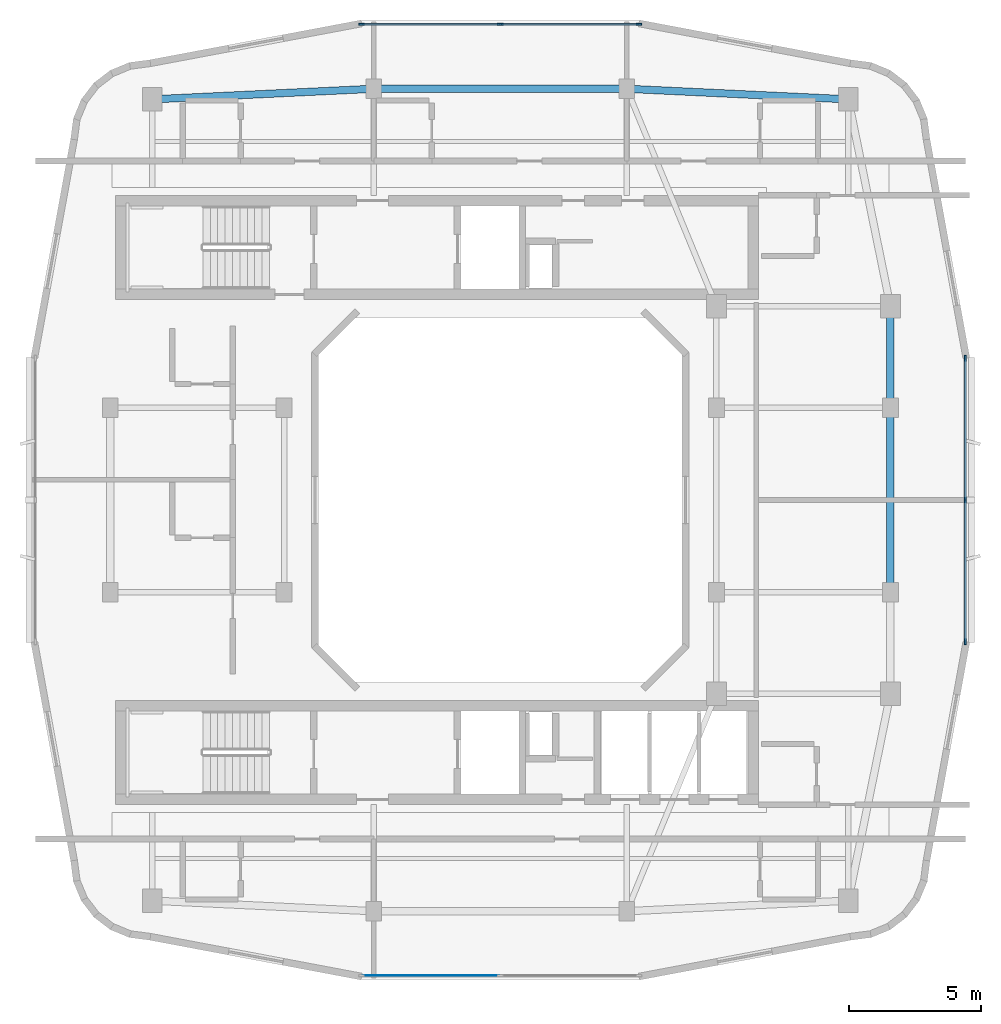
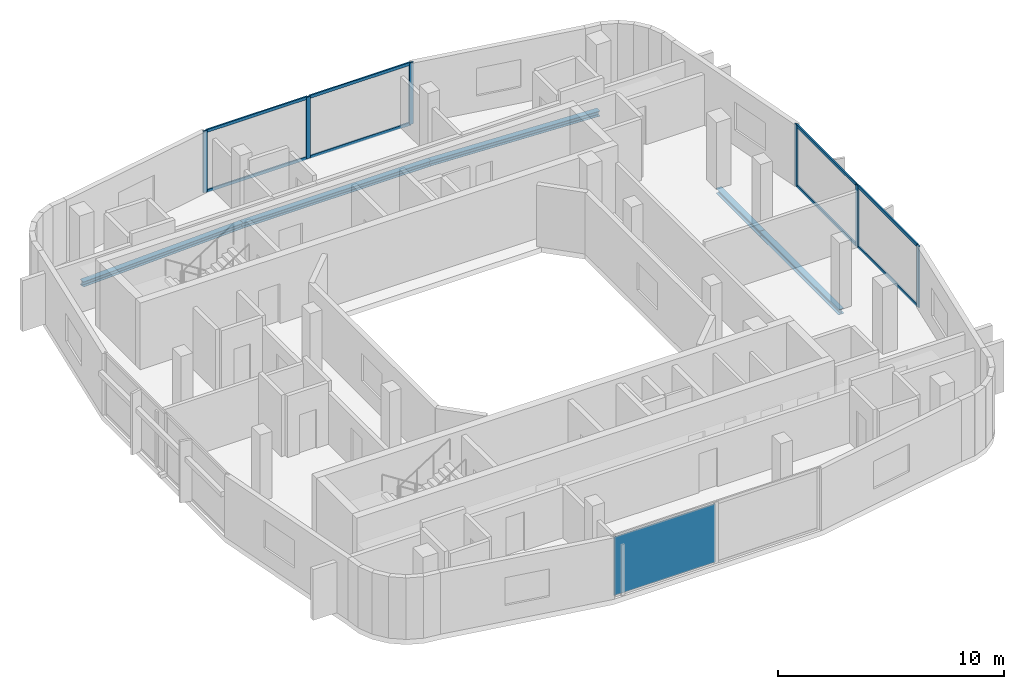
# One storey, part 3 of 10: 14 members, 5 beams, 1 plate, 3 elements without a shape of their own.
"""IFC4 building model written with IfcOpenShell, lengths in metres."""

from ifc_helpers import new_model, si_unit, derived_unit, direction, frame, origin, origin_2d, place, context, subcontext, project, spatial, rectangle, i_section, extrude, material, layer, layer_set, material_profile, profile_set, type_object, element, aggregate, save


model = new_model("IFC4")

# Units and contexts
model_context = context("Model", 3, precision=1e-05, world=origin(), true_north=direction((0.0, 1.0)))
body_context = subcontext(model_context, "Body", "Model", "MODEL_VIEW")
ifc_project = project(units=[si_unit("LENGTHUNIT", "METRE"), si_unit("AREAUNIT", "SQUARE_METRE"), si_unit("VOLUMEUNIT", "CUBIC_METRE"), si_unit("PLANEANGLEUNIT", "RADIAN"), si_unit("MASSUNIT", "GRAM", prefix="KILO"), derived_unit("THERMALTRANSMITTANCEUNIT", [(si_unit("POWERUNIT", "WATT"), 1), (si_unit("LENGTHUNIT", "METRE"), -2), (si_unit("THERMODYNAMICTEMPERATUREUNIT", "KELVIN"), -1)])], contexts=[model_context])

# Site, building, storey
site_placement = place(None, origin())
site = spatial("IfcSite", under=ifc_project, at=site_placement, CompositionType="ELEMENT")
building_placement = place(site_placement, origin())
building = spatial("IfcBuilding", under=site, at=building_placement, Name="Kivonza Crest Hotel", CompositionType="ELEMENT")
storey_placement = place(building_placement, frame((0.0, 0.0, 250.39990234375)))
storey = spatial("IfcBuildingStorey", under=building, at=storey_placement, Name="L68", CompositionType="ELEMENT", Elevation=250.39990234375)

# Beams
ifc_material_1 = material(Name="Steel S355", Category="steel")
ifc_material_profile_1 = material_profile(ifc_material_1, i_section(OverallWidth=0.280029296875, OverallDepth=0.280029296875, WebThickness=0.010498046875, FlangeThickness=0.01806640625, FilletRadius=0.02392578125, at=origin_2d()), Name="HEB 280")
ifc_profile_set_1 = profile_set([ifc_material_profile_1], Name="Steel S355")
beam_type = type_object("IfcBeamType", Name="BM-HEB280", PredefinedType="SPANDREL", material=ifc_profile_set_1)
beam_1_placement = place(storey_placement, frame((35.800048828125, 21.5, -0.419921875), z_axis=(0.0, 1.0, 0.0), x_axis=(-1.0, 0.0, 0.0)))
element("IfcBeam", 1, at=beam_1_placement, inside=storey, type_object=beam_type, Name="Tower T1 L68 perimeter spandrel E1-E2", PredefinedType="SPANDREL", context=body_context, shape_type="SweptSolid", body=[
    extrude(i_section(OverallWidth=0.280029296875, OverallDepth=0.280029296875, WebThickness=0.010498046875, FlangeThickness=0.01806640625, FilletRadius=0.02392578125, at=origin_2d()), origin(), (0.0, 0.0, 1.0), 7.0),
])
beam_2_placement = place(storey_placement, frame((35.800048828125, 28.5, -0.419921875), z_axis=(0.0, 1.0, 0.0), x_axis=(-1.0, 0.0, 0.0)))
element("IfcBeam", 2, at=beam_2_placement, inside=storey, type_object=beam_type, Name="Tower T1 L68 perimeter spandrel E2-PNE", PredefinedType="SPANDREL", context=body_context, shape_type="SweptSolid", body=[
    extrude(i_section(OverallWidth=0.280029296875, OverallDepth=0.280029296875, WebThickness=0.010498046875, FlangeThickness=0.01806640625, FilletRadius=0.02392578125, at=origin_2d()), origin(), (0.0, 0.0, 1.0), 3.85009765625),
])
beam_3_placement = place(storey_placement, frame((34.199951171875, 40.199951171875, -0.419921875), z_axis=(-0.998867283688, 0.047583080799, 0.0), x_axis=(-0.047583080799, -0.998867283688, 0.0)))
element("IfcBeam", 3, at=beam_3_placement, inside=storey, type_object=beam_type, Name="Tower T1 L68 perimeter spandrel NE-N2", PredefinedType="SPANDREL", context=body_context, shape_type="SweptSolid", body=[
    extrude(i_section(OverallWidth=0.280029296875, OverallDepth=0.280029296875, WebThickness=0.010498046875, FlangeThickness=0.01806640625, FilletRadius=0.02392578125, at=origin_2d()), origin(), (0.0, 0.0, 1.0), 8.409423828125),
])
beam_4_placement = place(storey_placement, frame((25.800048828125, 40.60009765625, -0.419921875), z_axis=(-1.0, 0.0, 0.0), x_axis=(0.0, -1.0, 0.0)))
element("IfcBeam", 4, at=beam_4_placement, inside=storey, type_object=beam_type, Name="Tower T1 L68 perimeter spandrel N2-N1", PredefinedType="SPANDREL", context=body_context, shape_type="SweptSolid", body=[
    extrude(i_section(OverallWidth=0.280029296875, OverallDepth=0.280029296875, WebThickness=0.010498046875, FlangeThickness=0.01806640625, FilletRadius=0.02392578125, at=origin_2d()), origin(), (0.0, 0.0, 1.0), 9.60009765625),
])
beam_5_placement = place(storey_placement, frame((16.199951171875, 40.60009765625, -0.419921875), z_axis=(-0.998867283688, -0.047583080799, 0.0), x_axis=(0.047583080799, -0.998867283688, 0.0)))
element("IfcBeam", 5, at=beam_5_placement, inside=storey, type_object=beam_type, Name="Tower T1 L68 perimeter spandrel N1-NW", PredefinedType="SPANDREL", context=body_context, shape_type="SweptSolid", body=[
    extrude(i_section(OverallWidth=0.280029296875, OverallDepth=0.280029296875, WebThickness=0.010498046875, FlangeThickness=0.01806640625, FilletRadius=0.02392578125, at=origin_2d()), origin(), (0.0, 0.0, 1.0), 8.409423828125),
])

# Curtain wall, members
ifc_material_2 = material(Name="Anodised bronze aluminium and low-E double glazing", Category="aluminium")
ifc_layer_1 = layer(ifc_material_2, 0.179931640625)
ifc_layer_set_1 = layer_set([ifc_layer_1], Name="Anodised bronze aluminium and low-E double glazing")
curtain_wall_type = type_object("IfcCurtainWallType", Name="CW-SYS-3", PredefinedType="NOTDEFINED", material=ifc_layer_set_1)
curtain_wall_1_placement = place(storey_placement, origin())
curtain_wall_1 = element("IfcCurtainWall", 6, at=curtain_wall_1_placement, inside=storey, type_object=curtain_wall_type, Name="L68 unitised curtain wall CW-T1-L68-17", PredefinedType="NOTDEFINED")
ifc_material_3 = material(Name="Anodised bronze aluminium", Category="aluminium")
ifc_material_profile_2 = material_profile(ifc_material_3, rectangle(XDim=0.074951171875, YDim=0.219970703125, at=origin_2d()), Name="CW-M 75x220")
ifc_profile_set_2 = profile_set([ifc_material_profile_2], Name="Anodised bronze aluminium")
member_type_1 = type_object("IfcMemberType", Name="CW-MUL-75x220", PredefinedType="MULLION", material=ifc_profile_set_2)
member_1_placement = place(storey_placement, frame((38.639892578125, 19.617431640625, 0.0), z_axis=(0.0, 0.0, 1.0), x_axis=(-1.0, 0.0, 0.0)))
member_1 = element("IfcMember", 7, at=member_1_placement, type_object=member_type_1, Name="CW-3 mullion 1", PredefinedType="MULLION", context=body_context, shape_type="SweptSolid", body=[
    extrude(rectangle(XDim=0.074951171875, YDim=0.219970703125, at=origin_2d()), origin(), (0.0, 0.0, 1.0), 3.320068359375),
])
member_2_placement = place(storey_placement, frame((38.639892578125, 25.0, 0.0), z_axis=(0.0, 0.0, 1.0), x_axis=(-1.0, 0.0, 0.0)))
member_2 = element("IfcMember", 8, at=member_2_placement, type_object=member_type_1, Name="CW-3 mullion 2", PredefinedType="MULLION", context=body_context, shape_type="SweptSolid", body=[
    extrude(rectangle(XDim=0.074951171875, YDim=0.219970703125, at=origin_2d()), origin(), (0.0, 0.0, 1.0), 3.320068359375),
])
member_3_placement = place(storey_placement, frame((38.639892578125, 30.382568359375, 0.0), z_axis=(0.0, 0.0, 1.0), x_axis=(-1.0, 0.0, 0.0)))
member_3 = element("IfcMember", 9, at=member_3_placement, type_object=member_type_1, Name="CW-3 mullion 3", PredefinedType="MULLION", context=body_context, shape_type="SweptSolid", body=[
    extrude(rectangle(XDim=0.074951171875, YDim=0.219970703125, at=origin_2d()), origin(), (0.0, 0.0, 1.0), 3.320068359375),
])

curtain_wall_2_placement = place(storey_placement, origin())
curtain_wall_2 = element("IfcCurtainWall", 10, at=curtain_wall_2_placement, inside=storey, type_object=curtain_wall_type, Name="L68 unitised curtain wall CW-T1-L68-26", PredefinedType="NOTDEFINED")
member_4_placement = place(storey_placement, frame((26.262451171875, 43.0400390625, 0.0), z_axis=(0.0, 0.0, 1.0), x_axis=(0.0, -1.0, 0.0)))
member_4 = element("IfcMember", 11, at=member_4_placement, type_object=member_type_1, Name="CW-3 mullion 1", PredefinedType="MULLION", context=body_context, shape_type="SweptSolid", body=[
    extrude(rectangle(XDim=0.074951171875, YDim=0.219970703125, at=origin_2d()), origin(), (0.0, 0.0, 1.0), 3.320068359375),
])
member_5_placement = place(storey_placement, frame((21.0, 43.0400390625, 0.0), z_axis=(0.0, 0.0, 1.0), x_axis=(0.0, -1.0, 0.0)))
member_5 = element("IfcMember", 12, at=member_5_placement, type_object=member_type_1, Name="CW-3 mullion 2", PredefinedType="MULLION", context=body_context, shape_type="SweptSolid", body=[
    extrude(rectangle(XDim=0.074951171875, YDim=0.219970703125, at=origin_2d()), origin(), (0.0, 0.0, 1.0), 3.320068359375),
])
member_6_placement = place(storey_placement, frame((15.737548828125, 43.0400390625, 0.0), z_axis=(0.0, 0.0, 1.0), x_axis=(0.0, -1.0, 0.0)))
member_6 = element("IfcMember", 13, at=member_6_placement, type_object=member_type_1, Name="CW-3 mullion 3", PredefinedType="MULLION", context=body_context, shape_type="SweptSolid", body=[
    extrude(rectangle(XDim=0.074951171875, YDim=0.219970703125, at=origin_2d()), origin(), (0.0, 0.0, 1.0), 3.320068359375),
])

# Member
ifc_material_profile_3 = material_profile(ifc_material_3, rectangle(XDim=0.074951171875, YDim=0.159912109375, at=origin_2d()), Name="CW-T 75x160")
ifc_profile_set_3 = profile_set([ifc_material_profile_3], Name="Anodised bronze aluminium")
member_type_2 = type_object("IfcMemberType", Name="CW-TRN-75x160", PredefinedType="USERDEFINED", material=ifc_profile_set_3)
member_7_placement = place(storey_placement, frame((38.639892578125, 19.655029296875, 0.03759765625), z_axis=(0.0, 1.0, 0.0), x_axis=(-1.0, 0.0, 0.0)))
member_7 = element("IfcMember", 14, at=member_7_placement, type_object=member_type_2, Name="CW-3 transom 1.1", ObjectType="TRANSOM", PredefinedType="USERDEFINED", context=body_context, shape_type="SweptSolid", body=[
    extrude(rectangle(XDim=0.074951171875, YDim=0.159912109375, at=origin_2d()), origin(), (0.0, 0.0, 1.0), 5.307373046875),
])

member_8_placement = place(storey_placement, frame((38.639892578125, 19.655029296875, 3.28271484375), z_axis=(0.0, 1.0, 0.0), x_axis=(-1.0, 0.0, 0.0)))
member_8 = element("IfcMember", 15, at=member_8_placement, type_object=member_type_2, Name="CW-3 transom 1.2", ObjectType="TRANSOM", PredefinedType="USERDEFINED", context=body_context, shape_type="SweptSolid", body=[
    extrude(rectangle(XDim=0.074951171875, YDim=0.159912109375, at=origin_2d()), origin(), (0.0, 0.0, 1.0), 5.307373046875),
])

member_9_placement = place(storey_placement, frame((38.639892578125, 25.03759765625, 0.03759765625), z_axis=(0.0, 1.0, 0.0), x_axis=(-1.0, 0.0, 0.0)))
member_9 = element("IfcMember", 16, at=member_9_placement, type_object=member_type_2, Name="CW-3 transom 2.1", ObjectType="TRANSOM", PredefinedType="USERDEFINED", context=body_context, shape_type="SweptSolid", body=[
    extrude(rectangle(XDim=0.074951171875, YDim=0.159912109375, at=origin_2d()), origin(), (0.0, 0.0, 1.0), 5.307373046875),
])

member_10_placement = place(storey_placement, frame((38.639892578125, 25.03759765625, 3.28271484375), z_axis=(0.0, 1.0, 0.0), x_axis=(-1.0, 0.0, 0.0)))
member_10 = element("IfcMember", 17, at=member_10_placement, type_object=member_type_2, Name="CW-3 transom 2.2", ObjectType="TRANSOM", PredefinedType="USERDEFINED", context=body_context, shape_type="SweptSolid", body=[
    extrude(rectangle(XDim=0.074951171875, YDim=0.159912109375, at=origin_2d()), origin(), (0.0, 0.0, 1.0), 5.307373046875),
])

aggregate(curtain_wall_1, [member_1, member_2, member_3, member_7, member_8, member_9, member_10])

member_11_placement = place(storey_placement, frame((26.22509765625, 43.0400390625, 0.03759765625), z_axis=(-1.0, 0.0, 0.0), x_axis=(0.0, -1.0, 0.0)))
member_11 = element("IfcMember", 18, at=member_11_placement, type_object=member_type_2, Name="CW-3 transom 1.1", ObjectType="TRANSOM", PredefinedType="USERDEFINED", context=body_context, shape_type="SweptSolid", body=[
    extrude(rectangle(XDim=0.074951171875, YDim=0.159912109375, at=origin_2d()), origin(), (0.0, 0.0, 1.0), 5.1875),
])

member_12_placement = place(storey_placement, frame((26.22509765625, 43.0400390625, 3.28271484375), z_axis=(-1.0, 0.0, 0.0), x_axis=(0.0, -1.0, 0.0)))
member_12 = element("IfcMember", 19, at=member_12_placement, type_object=member_type_2, Name="CW-3 transom 1.2", ObjectType="TRANSOM", PredefinedType="USERDEFINED", context=body_context, shape_type="SweptSolid", body=[
    extrude(rectangle(XDim=0.074951171875, YDim=0.159912109375, at=origin_2d()), origin(), (0.0, 0.0, 1.0), 5.1875),
])

member_13_placement = place(storey_placement, frame((20.96240234375, 43.0400390625, 0.03759765625), z_axis=(-1.0, 0.0, 0.0), x_axis=(0.0, -1.0, 0.0)))
member_13 = element("IfcMember", 20, at=member_13_placement, type_object=member_type_2, Name="CW-3 transom 2.1", ObjectType="TRANSOM", PredefinedType="USERDEFINED", context=body_context, shape_type="SweptSolid", body=[
    extrude(rectangle(XDim=0.074951171875, YDim=0.159912109375, at=origin_2d()), origin(), (0.0, 0.0, 1.0), 5.1875),
])

member_14_placement = place(storey_placement, frame((20.96240234375, 43.0400390625, 3.28271484375), z_axis=(-1.0, 0.0, 0.0), x_axis=(0.0, -1.0, 0.0)))
member_14 = element("IfcMember", 21, at=member_14_placement, type_object=member_type_2, Name="CW-3 transom 2.2", ObjectType="TRANSOM", PredefinedType="USERDEFINED", context=body_context, shape_type="SweptSolid", body=[
    extrude(rectangle(XDim=0.074951171875, YDim=0.159912109375, at=origin_2d()), origin(), (0.0, 0.0, 1.0), 5.1875),
])

aggregate(curtain_wall_2, [member_4, member_5, member_6, member_11, member_12, member_13, member_14])

# Curtain wall, plate
curtain_wall_3_placement = place(storey_placement, origin())
curtain_wall_3 = element("IfcCurtainWall", 22, at=curtain_wall_3_placement, inside=storey, type_object=curtain_wall_type, Name="L68 unitised curtain wall CW-T1-L68-08", PredefinedType="NOTDEFINED")
ifc_material_4 = material(Name="Acoustic triple-laminated low-E glazing", Category="glass")
ifc_layer_2 = layer(ifc_material_4, 0.035888671875)
ifc_layer_set_2 = layer_set([ifc_layer_2], Name="Acoustic triple-laminated low-E glazing")
plate_type = type_object("IfcPlateType", Name="CW-PNL-36", PredefinedType="CURTAIN_PANEL", material=ifc_layer_set_2)
plate_placement = place(storey_placement, frame((18.36865234375, 6.9599609375, 0.0751953125), z_axis=(0.0, 0.0, 1.0), x_axis=(1.0, 0.0, 0.0)))
plate = element("IfcPlate", 23, at=plate_placement, type_object=plate_type, Name="CW-3 panel 1.1", PredefinedType="CURTAIN_PANEL", context=body_context, shape_type="SweptSolid", body=[
    extrude(rectangle(XDim=5.1875, YDim=0.035888671875, at=origin_2d()), origin(), (0.0, 0.0, 1.0), 3.169921875),
])
aggregate(curtain_wall_3, [plate])

save(model, "model.ifc")
